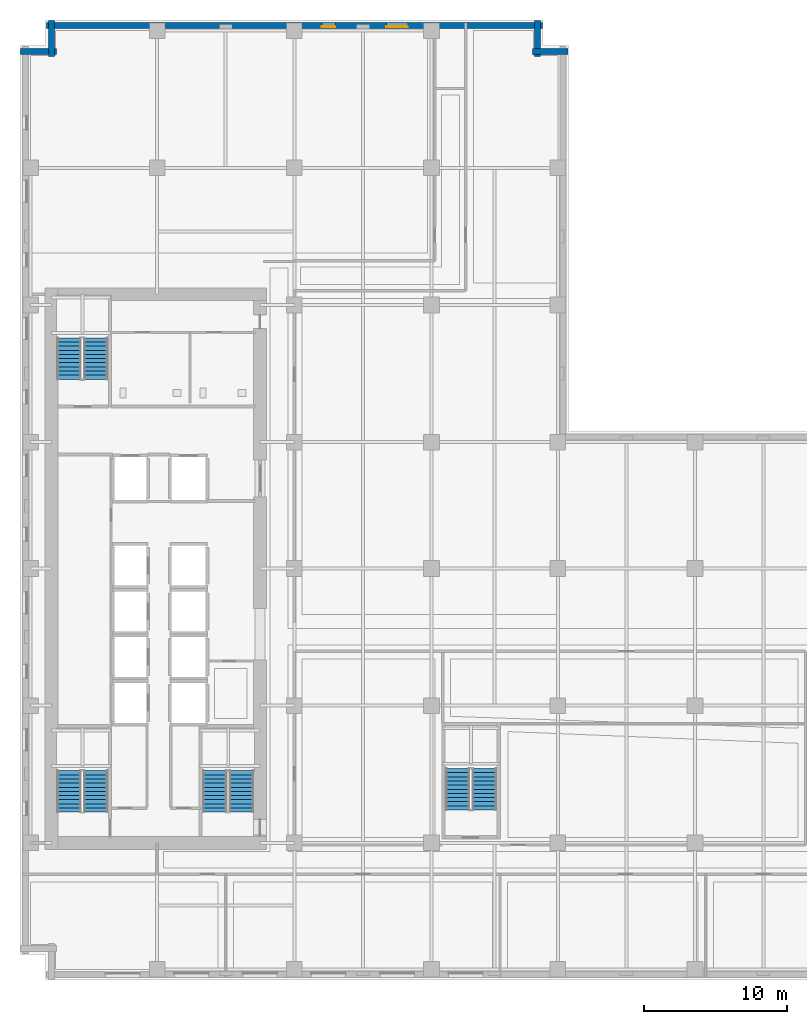
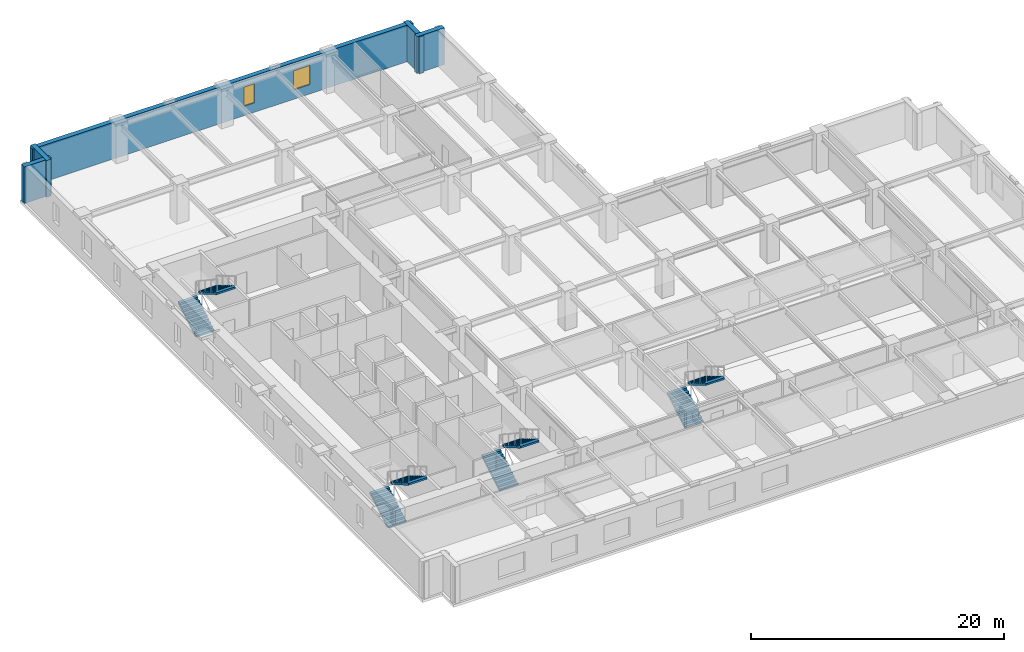
# One storey, part 8 of 13: 8 stair flights, 5 walls, 2 windows, 2 openings, 4 elements without a shape of their own.
"""IFC4 building model written with IfcOpenShell, lengths in metres."""

from ifc_helpers import new_model, si_unit, direction, frame, frame_2d, origin, place, context, subcontext, project, spatial, polyline, rectangle, outline, extrude, material, layer, layer_set, type_object, element, fill, aggregate, save


model = new_model("IFC4")

# Units and contexts
model_context = context("Model", 3, precision=1e-05, world=origin(), true_north=direction((0.0, 1.0)))
body_context = subcontext(model_context, "Body", "Model", "MODEL_VIEW")
ifc_project = project(units=[si_unit("LENGTHUNIT", "METRE"), si_unit("AREAUNIT", "SQUARE_METRE"), si_unit("VOLUMEUNIT", "CUBIC_METRE"), si_unit("PLANEANGLEUNIT", "RADIAN"), si_unit("MASSUNIT", "GRAM", prefix="KILO")], contexts=[model_context])

# Site, building, storey
site_placement = place(None, origin())
site = spatial("IfcSite", under=ifc_project, at=site_placement, CompositionType="ELEMENT")
building_placement = place(site_placement, origin())
building = spatial("IfcBuilding", under=site, at=building_placement, Name="Norrvale University Quadrangle", CompositionType="ELEMENT")
storey_placement = place(building_placement, frame((0.0, 0.0, 77.39990234375)))
storey = spatial("IfcBuildingStorey", under=building, at=storey_placement, Name="L19", CompositionType="ELEMENT", Elevation=77.39990234375)

# Walls
ifc_material_1 = material(Name="Buff Norman Clay Brick Masonry", Category="masonry")
ifc_layer = layer(ifc_material_1, 0.419921875, Name="Buff Norman Clay Brick Masonry")
ifc_layer_set = layer_set([ifc_layer], Name="Buff Norman Clay Brick Masonry")
wall_type = type_object("IfcWallType", Name="Wall Buff Brick 420", PredefinedType="SOLIDWALL", material=ifc_layer_set)
for number, where, z_axis, x_axis, name in (
    (1, (38.360107421875, 65.010009765625, 0.0), (0.0, 0.0, 1.0), (-1.0, 0.0, 0.0), "Exterior Brick Facade Wall L19-09.1"),
    (2, (36.2099609375, 64.659912109375, 0.0), (0.0, 0.0, 1.0), (0.0, 1.0, 0.0), "Exterior Brick Facade Wall L19-10.1"),
):
    element("IfcWall", number, at=place(storey_placement, frame(where, z_axis=z_axis, x_axis=x_axis)), inside=storey, type_object=wall_type, Name=name, PredefinedType="SOLIDWALL", context=body_context, shape_type="SweptSolid", body=[
        extrude(rectangle(XDim=2.5, YDim=0.419921875, at=frame_2d((1.25, 0.0))), origin(), (0.0, 0.0, 1.0), 3.5400390625),
    ])

# Wall, openings, windows
wall_placement = place(storey_placement, frame((36.56005859375, 66.81005859375, 0.0), z_axis=(0.0, 0.0, 1.0), x_axis=(-1.0, 0.0, 0.0)))
wall = element("IfcWall", 3, at=wall_placement, inside=storey, type_object=wall_type, Name="Exterior Brick Facade Wall L19-11.1", PredefinedType="SOLIDWALL", context=body_context, shape_type="SweptSolid", body=[
    extrude(rectangle(XDim=34.719970703125, YDim=0.419921875, at=frame_2d((17.35986328125, 0.0))), origin(), (0.0, 0.0, 1.0), 3.5400390625),
])
opening_1_placement = place(wall_placement, frame((9.409912109375, 0.0, 0.89990234375)))
opening_1 = element("IfcOpeningElement", 4, at=opening_1_placement, cuts=wall, Name="Opening W03", PredefinedType="OPENING", context=body_context, shape_type="SweptSolid", body=[
    extrude(rectangle(XDim=1.5, YDim=1.85009765625, at=frame_2d((0.75, 0.925048828125))), frame((0.0, 0.221923828125, 0.0), z_axis=(0.0, -1.0, 0.0), x_axis=(1.0, 0.0, 0.0)), (0.0, 0.0, 1.0), 0.44384765625),
])
opening_2_placement = place(wall_placement, frame((14.485107421875, 0.0, 0.89990234375)))
opening_2 = element("IfcOpeningElement", 5, at=opening_2_placement, cuts=wall, Name="Opening W04", PredefinedType="OPENING", context=body_context, shape_type="SweptSolid", body=[
    extrude(rectangle(XDim=0.949951171875, YDim=1.85009765625, at=frame_2d((0.47509765625, 0.925048828125))), frame((0.0, 0.221923828125, 0.0), z_axis=(0.0, -1.0, 0.0), x_axis=(1.0, 0.0, 0.0)), (0.0, 0.0, 1.0), 0.44384765625),
])
ifc_material_2 = material(Name="Triple Low-E Argon Glazing", Category="glass")
window_type_1 = type_object("IfcWindowType", Name="Window Narrow Pier 950x2300", PartitioningType="SINGLE_PANEL", PredefinedType="WINDOW", material=ifc_material_2)
window_1_placement = place(opening_2_placement, origin())
window_1 = element("IfcWindow", 6, at=window_1_placement, inside=storey, type_object=window_type_1, Name="Window Narrow Pier 950x2300 WIN-L19-E11-1-02", OverallHeight=1.85009765625, OverallWidth=0.949951171875, PartitioningType="SINGLE_PANEL", PredefinedType="WINDOW", context=body_context, shape_type="SweptSolid", body=[
    extrude(rectangle(XDim=0.949951171875, YDim=1.85009765625, at=frame_2d((0.47509765625, 0.925048828125))), frame((0.0, 0.110107421875, 0.0), z_axis=(0.0, -1.0, 0.0), x_axis=(1.0, 0.0, 0.0)), (0.0, 0.0, 1.0), 0.06005859375),
])
fill(opening_2, window_1)
window_type_2 = type_object("IfcWindowType", Name="Window Studio 1500x2300", PartitioningType="DOUBLE_PANEL_VERTICAL", PredefinedType="WINDOW", material=ifc_material_2)
window_2_placement = place(opening_1_placement, origin())
window_2 = element("IfcWindow", 7, at=window_2_placement, inside=storey, type_object=window_type_2, Name="Window Studio 1500x2300 WIN-L19-E11-1-01", OverallHeight=1.85009765625, OverallWidth=1.5, PartitioningType="DOUBLE_PANEL_VERTICAL", PredefinedType="WINDOW", context=body_context, shape_type="SweptSolid", body=[
    extrude(rectangle(XDim=1.5, YDim=1.85009765625, at=frame_2d((0.75, 0.925048828125))), frame((0.0, 0.110107421875, 0.0), z_axis=(0.0, -1.0, 0.0), x_axis=(1.0, 0.0, 0.0)), (0.0, 0.0, 1.0), 0.06005859375),
])
fill(opening_1, window_2)

# Walls
for number, where, z_axis, x_axis, name in (
    (8, (2.18994140625, 67.159912109375, 0.0), (0.0, 0.0, 1.0), (0.0, -1.0, 0.0), "Exterior Brick Facade Wall L19-12.1"),
    (9, (2.5400390625, 65.010009765625, 0.0), (0.0, 0.0, 1.0), (-1.0, 0.0, 0.0), "Exterior Brick Facade Wall L19-13.1"),
):
    element("IfcWall", number, at=place(storey_placement, frame(where, z_axis=z_axis, x_axis=x_axis)), inside=storey, type_object=wall_type, Name=name, PredefinedType="SOLIDWALL", context=body_context, shape_type="SweptSolid", body=[
        extrude(rectangle(XDim=2.5, YDim=0.419921875, at=frame_2d((1.25, 0.0))), origin(), (0.0, 0.0, 1.0), 3.5400390625),
    ])

# Stair, stair flights
ifc_material_3 = material(Name="Concrete C40/50", Category="concrete")
stair_type = type_object("IfcStairType", Name="Stair Tower Typ 3800", PredefinedType="TWO_STRAIGHT_RUN_STAIR", material=ifc_material_3)
stair_1_placement = place(storey_placement, origin())
stair_1 = element("IfcStair", 10, at=stair_1_placement, inside=storey, type_object=stair_type, Name="Exit Stair ST-01 L19", PredefinedType="TWO_STRAIGHT_RUN_STAIR")
stair_flight_type = type_object("IfcStairFlightType", Name="Flight Typ 1500", PredefinedType="STRAIGHT", material=ifc_material_3)
stair_flight_1_placement = place(storey_placement, frame((3.429931640625, 11.75, 0.0), z_axis=(0.0, 0.0, 1.0), x_axis=(0.0, 1.0, 0.0)))
stair_flight_1 = element("IfcStairFlight", 11, at=stair_flight_1_placement, type_object=stair_flight_type, Name="Exit Stair ST-01 L19 Lower Flight", NumberOfRisers=11, NumberOfTreads=10, PredefinedType="STRAIGHT", RiserHeight=0.172727, TreadLength=0.29, context=body_context, shape_type="SweptSolid", body=[
    extrude(outline(polyline([(0.0, 0.0), (0.0, 0.172607421875), (0.2900390625, 0.172607421875), (0.2900390625, 0.345458984375), (0.580078125, 0.345458984375), (0.580078125, 0.51806640625), (0.8701171875, 0.51806640625), (0.8701171875, 0.69091796875), (1.159912109375, 0.69091796875), (1.159912109375, 0.863525390625), (1.449951171875, 0.863525390625), (1.449951171875, 1.036376953125), (1.739990234375, 1.036376953125), (1.739990234375, 1.208984375), (2.030029296875, 1.208984375), (2.030029296875, 1.3818359375), (2.320068359375, 1.3818359375), (2.320068359375, 1.554443359375), (2.610107421875, 1.554443359375), (2.610107421875, 1.727294921875), (2.89990234375, 1.727294921875), (2.89990234375, 1.89990234375), (2.89990234375, 1.552734375), (0.29296875, 0.0), (0.0, 0.0)])), frame((0.0, 0.83984375, 0.0), z_axis=(0.0, -1.0, 0.0), x_axis=(1.0, 0.0, 0.0)), (0.0, 0.0, 1.0), 1.679931640625),
])
stair_flight_2_placement = place(storey_placement, frame((5.320068359375, 14.64990234375, 1.900146484375), z_axis=(0.0, 0.0, 1.0), x_axis=(0.0, -1.0, 0.0)))
stair_flight_2 = element("IfcStairFlight", 12, at=stair_flight_2_placement, type_object=stair_flight_type, Name="Exit Stair ST-01 L19 Upper Flight", NumberOfRisers=11, NumberOfTreads=10, PredefinedType="STRAIGHT", RiserHeight=0.172727, TreadLength=0.29, context=body_context, shape_type="SweptSolid", body=[
    extrude(outline(polyline([(0.0, 0.0), (0.0, 0.172607421875), (0.2900390625, 0.172607421875), (0.2900390625, 0.345458984375), (0.580078125, 0.345458984375), (0.580078125, 0.51806640625), (0.8701171875, 0.51806640625), (0.8701171875, 0.69091796875), (1.159912109375, 0.69091796875), (1.159912109375, 0.863525390625), (1.449951171875, 0.863525390625), (1.449951171875, 1.036376953125), (1.739990234375, 1.036376953125), (1.739990234375, 1.208984375), (2.030029296875, 1.208984375), (2.030029296875, 1.3818359375), (2.320068359375, 1.3818359375), (2.320068359375, 1.554443359375), (2.610107421875, 1.554443359375), (2.610107421875, 1.727294921875), (2.89990234375, 1.727294921875), (2.89990234375, 1.89990234375), (2.89990234375, 1.552734375), (0.29296875, 0.0), (0.0, 0.0)])), frame((0.0, 0.83984375, 0.0), z_axis=(0.0, -1.0, 0.0), x_axis=(1.0, 0.0, 0.0)), (0.0, 0.0, 1.0), 1.679931640625),
])
aggregate(stair_1, [stair_flight_1, stair_flight_2])

stair_2_placement = place(storey_placement, origin())
stair_2 = element("IfcStair", 13, at=stair_2_placement, inside=storey, type_object=stair_type, Name="Exit Stair ST-02 L19", PredefinedType="TWO_STRAIGHT_RUN_STAIR")
stair_flight_3_placement = place(storey_placement, frame((3.429931640625, 42.050048828125, 0.0), z_axis=(0.0, 0.0, 1.0), x_axis=(0.0, 1.0, 0.0)))
stair_flight_3 = element("IfcStairFlight", 14, at=stair_flight_3_placement, type_object=stair_flight_type, Name="Exit Stair ST-02 L19 Lower Flight", NumberOfRisers=11, NumberOfTreads=10, PredefinedType="STRAIGHT", RiserHeight=0.172727, TreadLength=0.29, context=body_context, shape_type="SweptSolid", body=[
    extrude(outline(polyline([(0.0, 0.0), (0.0, 0.172607421875), (0.2900390625, 0.172607421875), (0.2900390625, 0.345458984375), (0.580078125, 0.345458984375), (0.580078125, 0.51806640625), (0.8701171875, 0.51806640625), (0.8701171875, 0.69091796875), (1.159912109375, 0.69091796875), (1.159912109375, 0.863525390625), (1.449951171875, 0.863525390625), (1.449951171875, 1.036376953125), (1.739990234375, 1.036376953125), (1.739990234375, 1.208984375), (2.030029296875, 1.208984375), (2.030029296875, 1.3818359375), (2.320068359375, 1.3818359375), (2.320068359375, 1.554443359375), (2.610107421875, 1.554443359375), (2.610107421875, 1.727294921875), (2.89990234375, 1.727294921875), (2.89990234375, 1.89990234375), (2.89990234375, 1.552734375), (0.29296875, 0.0), (0.0, 0.0)])), frame((0.0, 0.83984375, 0.0), z_axis=(0.0, -1.0, 0.0), x_axis=(1.0, 0.0, 0.0)), (0.0, 0.0, 1.0), 1.679931640625),
])
stair_flight_4_placement = place(storey_placement, frame((5.320068359375, 44.949951171875, 1.900146484375), z_axis=(0.0, 0.0, 1.0), x_axis=(0.0, -1.0, 0.0)))
stair_flight_4 = element("IfcStairFlight", 15, at=stair_flight_4_placement, type_object=stair_flight_type, Name="Exit Stair ST-02 L19 Upper Flight", NumberOfRisers=11, NumberOfTreads=10, PredefinedType="STRAIGHT", RiserHeight=0.172727, TreadLength=0.29, context=body_context, shape_type="SweptSolid", body=[
    extrude(outline(polyline([(0.0, 0.0), (0.0, 0.172607421875), (0.2900390625, 0.172607421875), (0.2900390625, 0.345458984375), (0.580078125, 0.345458984375), (0.580078125, 0.51806640625), (0.8701171875, 0.51806640625), (0.8701171875, 0.69091796875), (1.159912109375, 0.69091796875), (1.159912109375, 0.863525390625), (1.449951171875, 0.863525390625), (1.449951171875, 1.036376953125), (1.739990234375, 1.036376953125), (1.739990234375, 1.208984375), (2.030029296875, 1.208984375), (2.030029296875, 1.3818359375), (2.320068359375, 1.3818359375), (2.320068359375, 1.554443359375), (2.610107421875, 1.554443359375), (2.610107421875, 1.727294921875), (2.89990234375, 1.727294921875), (2.89990234375, 1.89990234375), (2.89990234375, 1.552734375), (0.29296875, 0.0), (0.0, 0.0)])), frame((0.0, 0.83984375, 0.0), z_axis=(0.0, -1.0, 0.0), x_axis=(1.0, 0.0, 0.0)), (0.0, 0.0, 1.0), 1.679931640625),
])
aggregate(stair_2, [stair_flight_3, stair_flight_4])

stair_3_placement = place(storey_placement, origin())
stair_3 = element("IfcStair", 16, at=stair_3_placement, inside=storey, type_object=stair_type, Name="Exit Stair ST-03 L19", PredefinedType="TWO_STRAIGHT_RUN_STAIR")
stair_flight_5_placement = place(storey_placement, frame((13.6298828125, 11.75, 0.0), z_axis=(0.0, 0.0, 1.0), x_axis=(0.0, 1.0, 0.0)))
stair_flight_5 = element("IfcStairFlight", 17, at=stair_flight_5_placement, type_object=stair_flight_type, Name="Exit Stair ST-03 L19 Lower Flight", NumberOfRisers=11, NumberOfTreads=10, PredefinedType="STRAIGHT", RiserHeight=0.172727, TreadLength=0.29, context=body_context, shape_type="SweptSolid", body=[
    extrude(outline(polyline([(0.0, 0.0), (0.0, 0.172607421875), (0.2900390625, 0.172607421875), (0.2900390625, 0.345458984375), (0.580078125, 0.345458984375), (0.580078125, 0.51806640625), (0.8701171875, 0.51806640625), (0.8701171875, 0.69091796875), (1.159912109375, 0.69091796875), (1.159912109375, 0.863525390625), (1.449951171875, 0.863525390625), (1.449951171875, 1.036376953125), (1.739990234375, 1.036376953125), (1.739990234375, 1.208984375), (2.030029296875, 1.208984375), (2.030029296875, 1.3818359375), (2.320068359375, 1.3818359375), (2.320068359375, 1.554443359375), (2.610107421875, 1.554443359375), (2.610107421875, 1.727294921875), (2.89990234375, 1.727294921875), (2.89990234375, 1.89990234375), (2.89990234375, 1.552734375), (0.29296875, 0.0), (0.0, 0.0)])), frame((0.0, 0.83984375, 0.0), z_axis=(0.0, -1.0, 0.0), x_axis=(1.0, 0.0, 0.0)), (0.0, 0.0, 1.0), 1.679931640625),
])
stair_flight_6_placement = place(storey_placement, frame((15.52001953125, 14.64990234375, 1.900146484375), z_axis=(0.0, 0.0, 1.0), x_axis=(0.0, -1.0, 0.0)))
stair_flight_6 = element("IfcStairFlight", 18, at=stair_flight_6_placement, type_object=stair_flight_type, Name="Exit Stair ST-03 L19 Upper Flight", NumberOfRisers=11, NumberOfTreads=10, PredefinedType="STRAIGHT", RiserHeight=0.172727, TreadLength=0.29, context=body_context, shape_type="SweptSolid", body=[
    extrude(outline(polyline([(0.0, 0.0), (0.0, 0.172607421875), (0.2900390625, 0.172607421875), (0.2900390625, 0.345458984375), (0.580078125, 0.345458984375), (0.580078125, 0.51806640625), (0.8701171875, 0.51806640625), (0.8701171875, 0.69091796875), (1.159912109375, 0.69091796875), (1.159912109375, 0.863525390625), (1.449951171875, 0.863525390625), (1.449951171875, 1.036376953125), (1.739990234375, 1.036376953125), (1.739990234375, 1.208984375), (2.030029296875, 1.208984375), (2.030029296875, 1.3818359375), (2.320068359375, 1.3818359375), (2.320068359375, 1.554443359375), (2.610107421875, 1.554443359375), (2.610107421875, 1.727294921875), (2.89990234375, 1.727294921875), (2.89990234375, 1.89990234375), (2.89990234375, 1.552734375), (0.29296875, 0.0), (0.0, 0.0)])), frame((0.0, 0.83984375, 0.0), z_axis=(0.0, -1.0, 0.0), x_axis=(1.0, 0.0, 0.0)), (0.0, 0.0, 1.0), 1.679931640625),
])
aggregate(stair_3, [stair_flight_5, stair_flight_6])

stair_4_placement = place(storey_placement, origin())
stair_4 = element("IfcStair", 19, at=stair_4_placement, inside=storey, type_object=stair_type, Name="Exit Stair ST-04 L19", PredefinedType="TWO_STRAIGHT_RUN_STAIR")
stair_flight_7_placement = place(storey_placement, frame((30.6298828125, 11.89990234375, 0.0), z_axis=(0.0, 0.0, 1.0), x_axis=(0.0, 1.0, 0.0)))
stair_flight_7 = element("IfcStairFlight", 20, at=stair_flight_7_placement, type_object=stair_flight_type, Name="Exit Stair ST-04 L19 Lower Flight", NumberOfRisers=11, NumberOfTreads=10, PredefinedType="STRAIGHT", RiserHeight=0.172727, TreadLength=0.29, context=body_context, shape_type="SweptSolid", body=[
    extrude(outline(polyline([(0.0, 0.0), (0.0, 0.172607421875), (0.2900390625, 0.172607421875), (0.2900390625, 0.345458984375), (0.580078125, 0.345458984375), (0.580078125, 0.51806640625), (0.8701171875, 0.51806640625), (0.8701171875, 0.69091796875), (1.159912109375, 0.69091796875), (1.159912109375, 0.863525390625), (1.449951171875, 0.863525390625), (1.449951171875, 1.036376953125), (1.739990234375, 1.036376953125), (1.739990234375, 1.208984375), (2.030029296875, 1.208984375), (2.030029296875, 1.3818359375), (2.320068359375, 1.3818359375), (2.320068359375, 1.554443359375), (2.610107421875, 1.554443359375), (2.610107421875, 1.727294921875), (2.89990234375, 1.727294921875), (2.89990234375, 1.89990234375), (2.89990234375, 1.552734375), (0.29296875, 0.0), (0.0, 0.0)])), frame((0.0, 0.83984375, 0.0), z_axis=(0.0, -1.0, 0.0), x_axis=(1.0, 0.0, 0.0)), (0.0, 0.0, 1.0), 1.679931640625),
])
stair_flight_8_placement = place(storey_placement, frame((32.52001953125, 14.800048828125, 1.900146484375), z_axis=(0.0, 0.0, 1.0), x_axis=(0.0, -1.0, 0.0)))
stair_flight_8 = element("IfcStairFlight", 21, at=stair_flight_8_placement, type_object=stair_flight_type, Name="Exit Stair ST-04 L19 Upper Flight", NumberOfRisers=11, NumberOfTreads=10, PredefinedType="STRAIGHT", RiserHeight=0.172727, TreadLength=0.29, context=body_context, shape_type="SweptSolid", body=[
    extrude(outline(polyline([(0.0, 0.0), (0.0, 0.172607421875), (0.2900390625, 0.172607421875), (0.2900390625, 0.345458984375), (0.580078125, 0.345458984375), (0.580078125, 0.51806640625), (0.8701171875, 0.51806640625), (0.8701171875, 0.69091796875), (1.159912109375, 0.69091796875), (1.159912109375, 0.863525390625), (1.449951171875, 0.863525390625), (1.449951171875, 1.036376953125), (1.739990234375, 1.036376953125), (1.739990234375, 1.208984375), (2.030029296875, 1.208984375), (2.030029296875, 1.3818359375), (2.320068359375, 1.3818359375), (2.320068359375, 1.554443359375), (2.610107421875, 1.554443359375), (2.610107421875, 1.727294921875), (2.89990234375, 1.727294921875), (2.89990234375, 1.89990234375), (2.89990234375, 1.552734375), (0.29296875, 0.0), (0.0, 0.0)])), frame((0.0, 0.83984375, 0.0), z_axis=(0.0, -1.0, 0.0), x_axis=(1.0, 0.0, 0.0)), (0.0, 0.0, 1.0), 1.679931640625),
])
aggregate(stair_4, [stair_flight_7, stair_flight_8])

save(model, "model.ifc")
